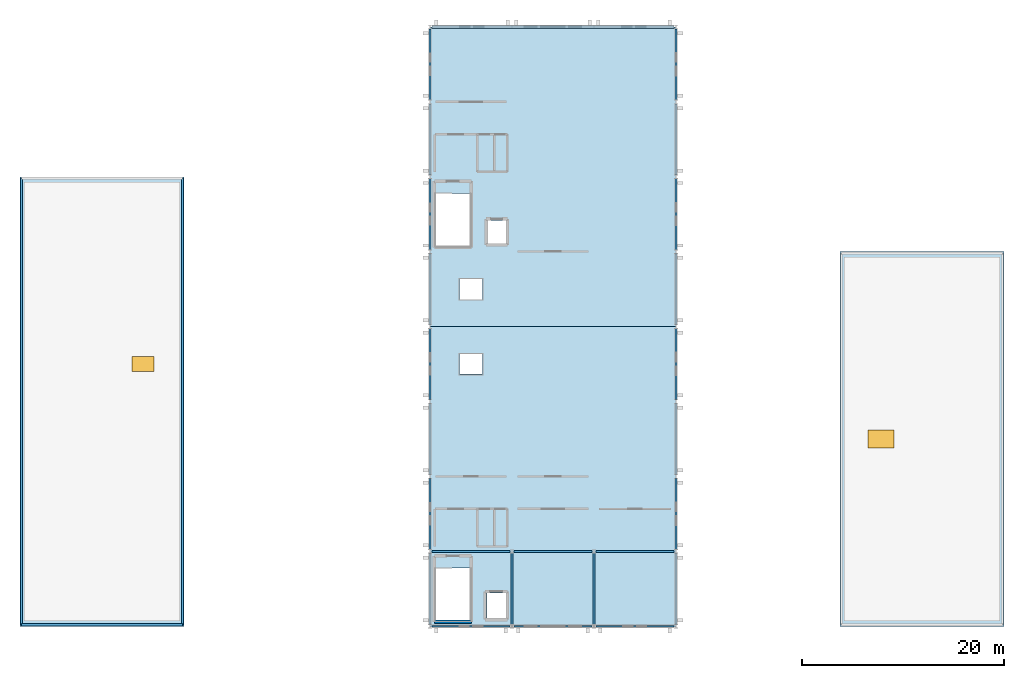
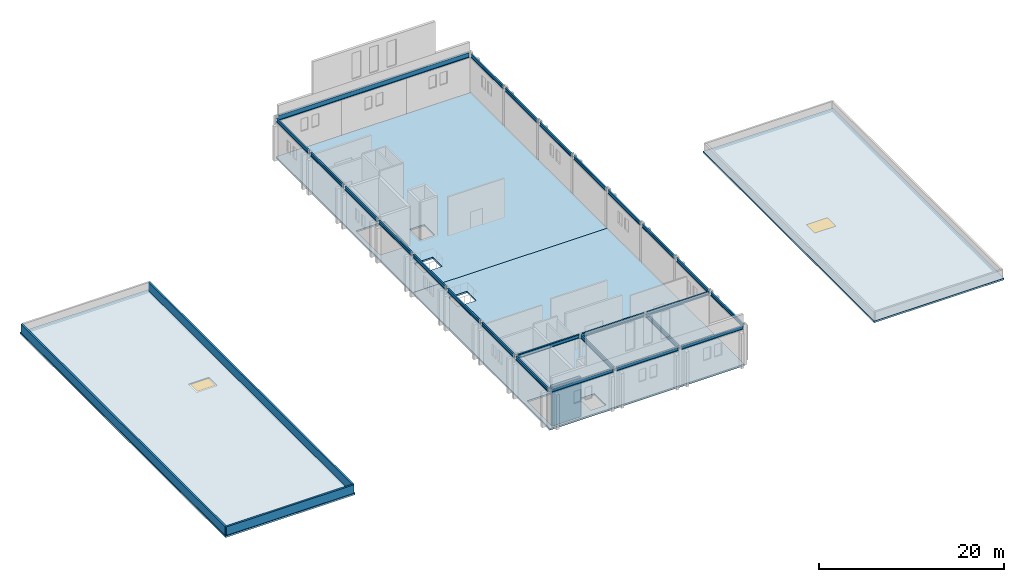
# One storey, part 5 of 10: 25 beams, 4 slabs, 4 walls, 2 windows, 2 openings.
"""IFC4 building model written with IfcOpenShell, lengths in metres."""

from ifc_helpers import new_model, si_unit, direction, frame, frame_2d, origin, origin_2d, place, context, subcontext, project, spatial, polyline, rectangle, i_section, outline, extrude, material, layer, layer_set, material_profile, profile_set, type_object, element, fill, save


model = new_model("IFC4")

# Units and contexts
model_context = context("Model", 3, precision=1e-05, world=origin(), true_north=direction((0.0, 1.0)))
body_context = subcontext(model_context, "Body", "Model", "MODEL_VIEW")
ifc_project = project(units=[si_unit("LENGTHUNIT", "METRE"), si_unit("AREAUNIT", "SQUARE_METRE"), si_unit("VOLUMEUNIT", "CUBIC_METRE"), si_unit("PLANEANGLEUNIT", "RADIAN"), si_unit("MASSUNIT", "GRAM", prefix="KILO")], contexts=[model_context])

# Site, building, storey
site_placement = place(None, origin())
site = spatial("IfcSite", under=ifc_project, at=site_placement, CompositionType="ELEMENT")
building_placement = place(site_placement, origin())
building = spatial("IfcBuilding", under=site, at=building_placement, Name="Cimatlan Art Gallery", CompositionType="ELEMENT")
storey_placement = place(building_placement, frame((0.0, 0.0, 21.0)))
storey = spatial("IfcBuildingStorey", under=building, at=storey_placement, Name="L05", CompositionType="ELEMENT", Elevation=21.0)

# Beams
ifc_material_1 = material(Name="Steel ASTM A992 Grade 50", Category="steel")
ifc_material_profile_1 = material_profile(ifc_material_1, i_section(OverallWidth=0.25390625, OverallDepth=0.68408203125, WebThickness=0.012451171875, FlangeThickness=0.018798828125, at=origin_2d()), Name="W27X94")
ifc_profile_set_1 = profile_set([ifc_material_profile_1], Name="Steel ASTM A992 Grade 50")
beam_type_1 = type_object("IfcBeamType", Name="BM-SPAN24-L05", PredefinedType="BEAM", material=ifc_profile_set_1)
beam_1_placement = place(storey_placement, frame((75.096923828125, 83.10009765625, 5.05810546875), z_axis=(1.0, 0.0, 0.0), x_axis=(0.0, 1.0, 0.0)))
element("IfcBeam", 1, at=beam_1_placement, inside=storey, type_object=beam_type_1, Name="BM-V1-GABLE-N", PredefinedType="BEAM", context=body_context, shape_type="SweptSolid", body=[
    extrude(i_section(OverallWidth=0.25390625, OverallDepth=0.68408203125, WebThickness=0.012451171875, FlangeThickness=0.018798828125, at=origin_2d()), origin(), (0.0, 0.0, 1.0), 23.906005859375),
])
ifc_material_profile_2 = material_profile(ifc_material_1, i_section(OverallWidth=0.19091796875, OverallDepth=0.45703125, WebThickness=0.009033203125, FlangeThickness=0.014404296875, at=origin_2d()), Name="W18X50")
ifc_profile_set_2 = profile_set([ifc_material_profile_2], Name="Steel ASTM A992 Grade 50")
beam_type_2 = type_object("IfcBeamType", Name="BM-STL-W18X50", PredefinedType="BEAM", material=ifc_profile_set_2)
beam_2_placement = place(storey_placement, frame((74.89990234375, 24.087890625, 4.96142578125), z_axis=(0.0, 1.0, 0.0), x_axis=(-1.0, 0.0, 0.0)))
element("IfcBeam", 2, at=beam_2_placement, inside=storey, type_object=beam_type_2, Name="BM-Y-L05-09-03", PredefinedType="BEAM", context=body_context, shape_type="SweptSolid", body=[
    extrude(i_section(OverallWidth=0.19091796875, OverallDepth=0.45703125, WebThickness=0.009033203125, FlangeThickness=0.014404296875, at=origin_2d()), origin(), (0.0, 0.0, 1.0), 7.024169921875),
])
beam_3_placement = place(storey_placement, frame((74.89990234375, 31.488037109375, 4.96142578125), z_axis=(0.0, 1.0, 0.0), x_axis=(-1.0, 0.0, 0.0)))
element("IfcBeam", 3, at=beam_3_placement, inside=storey, type_object=beam_type_2, Name="BM-Y-L05-09-04", PredefinedType="BEAM", context=body_context, shape_type="SweptSolid", body=[
    extrude(i_section(OverallWidth=0.19091796875, OverallDepth=0.45703125, WebThickness=0.009033203125, FlangeThickness=0.014404296875, at=origin_2d()), origin(), (0.0, 0.0, 1.0), 7.02392578125),
])
beam_4_placement = place(storey_placement, frame((74.89990234375, 38.887939453125, 4.96142578125), z_axis=(0.0, 1.0, 0.0), x_axis=(-1.0, 0.0, 0.0)))
element("IfcBeam", 4, at=beam_4_placement, inside=storey, type_object=beam_type_2, Name="BM-Y-L05-09-05", PredefinedType="BEAM", context=body_context, shape_type="SweptSolid", body=[
    extrude(i_section(OverallWidth=0.19091796875, OverallDepth=0.45703125, WebThickness=0.009033203125, FlangeThickness=0.014404296875, at=origin_2d()), origin(), (0.0, 0.0, 1.0), 7.024169921875),
])
for number, where, z_axis, x_axis, name in (
    (5, (74.89990234375, 46.2880859375, 4.96142578125), (0.0, 1.0, 0.0), (-1.0, 0.0, 0.0), "BM-Y-L05-09-06"),
    (6, (74.89990234375, 53.68798828125, 4.96142578125), (0.0, 1.0, 0.0), (-1.0, 0.0, 0.0), "BM-Y-L05-09-07"),
):
    element("IfcBeam", number, at=place(storey_placement, frame(where, z_axis=z_axis, x_axis=x_axis)), inside=storey, type_object=beam_type_2, Name=name, PredefinedType="BEAM", context=body_context, shape_type="SweptSolid", body=[
        extrude(i_section(OverallWidth=0.19091796875, OverallDepth=0.45703125, WebThickness=0.009033203125, FlangeThickness=0.014404296875, at=origin_2d()), origin(), (0.0, 0.0, 1.0), 7.02392578125),
    ])
beam_5_placement = place(storey_placement, frame((74.89990234375, 61.087890625, 4.96142578125), z_axis=(0.0, 1.0, 0.0), x_axis=(-1.0, 0.0, 0.0)))
element("IfcBeam", 7, at=beam_5_placement, inside=storey, type_object=beam_type_2, Name="BM-Y-L05-09-08", PredefinedType="BEAM", context=body_context, shape_type="SweptSolid", body=[
    extrude(i_section(OverallWidth=0.19091796875, OverallDepth=0.45703125, WebThickness=0.009033203125, FlangeThickness=0.014404296875, at=origin_2d()), origin(), (0.0, 0.0, 1.0), 7.024169921875),
])
beam_6_placement = place(storey_placement, frame((74.89990234375, 68.488037109375, 4.96142578125), z_axis=(0.0, 1.0, 0.0), x_axis=(-1.0, 0.0, 0.0)))
element("IfcBeam", 8, at=beam_6_placement, inside=storey, type_object=beam_type_2, Name="BM-Y-L05-09-09", PredefinedType="BEAM", context=body_context, shape_type="SweptSolid", body=[
    extrude(i_section(OverallWidth=0.19091796875, OverallDepth=0.45703125, WebThickness=0.009033203125, FlangeThickness=0.014404296875, at=origin_2d()), origin(), (0.0, 0.0, 1.0), 7.02392578125),
])
beam_7_placement = place(storey_placement, frame((74.89990234375, 75.887939453125, 4.96142578125), z_axis=(0.0, 1.0, 0.0), x_axis=(-1.0, 0.0, 0.0)))
element("IfcBeam", 9, at=beam_7_placement, inside=storey, type_object=beam_type_2, Name="BM-Y-L05-09-10", PredefinedType="BEAM", context=body_context, shape_type="SweptSolid", body=[
    extrude(i_section(OverallWidth=0.19091796875, OverallDepth=0.45703125, WebThickness=0.009033203125, FlangeThickness=0.014404296875, at=origin_2d()), origin(), (0.0, 0.0, 1.0), 7.024169921875),
])
for number, where, z_axis, x_axis, name in (
    (10, (83.0, 24.077880859375, 4.96142578125), (0.0, 1.0, 0.0), (-1.0, 0.0, 0.0), "BM-Y-L05-10-03"),
    (11, (91.10009765625, 24.077880859375, 4.96142578125), (0.0, 1.0, 0.0), (-1.0, 0.0, 0.0), "BM-Y-L05-11-03"),
):
    element("IfcBeam", number, at=place(storey_placement, frame(where, z_axis=z_axis, x_axis=x_axis)), inside=storey, type_object=beam_type_2, Name=name, PredefinedType="BEAM", context=body_context, shape_type="SweptSolid", body=[
        extrude(i_section(OverallWidth=0.19091796875, OverallDepth=0.45703125, WebThickness=0.009033203125, FlangeThickness=0.014404296875, at=origin_2d()), origin(), (0.0, 0.0, 1.0), 7.044189453125),
    ])
beam_8_placement = place(storey_placement, frame((99.199951171875, 24.087890625, 4.96142578125), z_axis=(0.0, 1.0, 0.0), x_axis=(-1.0, 0.0, 0.0)))
element("IfcBeam", 12, at=beam_8_placement, inside=storey, type_object=beam_type_2, Name="BM-Y-L05-12-03", PredefinedType="BEAM", context=body_context, shape_type="SweptSolid", body=[
    extrude(i_section(OverallWidth=0.19091796875, OverallDepth=0.45703125, WebThickness=0.009033203125, FlangeThickness=0.014404296875, at=origin_2d()), origin(), (0.0, 0.0, 1.0), 7.024169921875),
])
beam_9_placement = place(storey_placement, frame((99.199951171875, 31.488037109375, 4.96142578125), z_axis=(0.0, 1.0, 0.0), x_axis=(-1.0, 0.0, 0.0)))
element("IfcBeam", 13, at=beam_9_placement, inside=storey, type_object=beam_type_2, Name="BM-Y-L05-12-04", PredefinedType="BEAM", context=body_context, shape_type="SweptSolid", body=[
    extrude(i_section(OverallWidth=0.19091796875, OverallDepth=0.45703125, WebThickness=0.009033203125, FlangeThickness=0.014404296875, at=origin_2d()), origin(), (0.0, 0.0, 1.0), 7.02392578125),
])
beam_10_placement = place(storey_placement, frame((99.199951171875, 38.887939453125, 4.96142578125), z_axis=(0.0, 1.0, 0.0), x_axis=(-1.0, 0.0, 0.0)))
element("IfcBeam", 14, at=beam_10_placement, inside=storey, type_object=beam_type_2, Name="BM-Y-L05-12-05", PredefinedType="BEAM", context=body_context, shape_type="SweptSolid", body=[
    extrude(i_section(OverallWidth=0.19091796875, OverallDepth=0.45703125, WebThickness=0.009033203125, FlangeThickness=0.014404296875, at=origin_2d()), origin(), (0.0, 0.0, 1.0), 7.024169921875),
])
for number, where, z_axis, x_axis, name in (
    (15, (99.199951171875, 46.2880859375, 4.96142578125), (0.0, 1.0, 0.0), (-1.0, 0.0, 0.0), "BM-Y-L05-12-06"),
    (16, (99.199951171875, 53.68798828125, 4.96142578125), (0.0, 1.0, 0.0), (-1.0, 0.0, 0.0), "BM-Y-L05-12-07"),
):
    element("IfcBeam", number, at=place(storey_placement, frame(where, z_axis=z_axis, x_axis=x_axis)), inside=storey, type_object=beam_type_2, Name=name, PredefinedType="BEAM", context=body_context, shape_type="SweptSolid", body=[
        extrude(i_section(OverallWidth=0.19091796875, OverallDepth=0.45703125, WebThickness=0.009033203125, FlangeThickness=0.014404296875, at=origin_2d()), origin(), (0.0, 0.0, 1.0), 7.02392578125),
    ])
beam_11_placement = place(storey_placement, frame((99.199951171875, 61.087890625, 4.96142578125), z_axis=(0.0, 1.0, 0.0), x_axis=(-1.0, 0.0, 0.0)))
element("IfcBeam", 17, at=beam_11_placement, inside=storey, type_object=beam_type_2, Name="BM-Y-L05-12-08", PredefinedType="BEAM", context=body_context, shape_type="SweptSolid", body=[
    extrude(i_section(OverallWidth=0.19091796875, OverallDepth=0.45703125, WebThickness=0.009033203125, FlangeThickness=0.014404296875, at=origin_2d()), origin(), (0.0, 0.0, 1.0), 7.024169921875),
])
beam_12_placement = place(storey_placement, frame((99.199951171875, 68.488037109375, 4.96142578125), z_axis=(0.0, 1.0, 0.0), x_axis=(-1.0, 0.0, 0.0)))
element("IfcBeam", 18, at=beam_12_placement, inside=storey, type_object=beam_type_2, Name="BM-Y-L05-12-09", PredefinedType="BEAM", context=body_context, shape_type="SweptSolid", body=[
    extrude(i_section(OverallWidth=0.19091796875, OverallDepth=0.45703125, WebThickness=0.009033203125, FlangeThickness=0.014404296875, at=origin_2d()), origin(), (0.0, 0.0, 1.0), 7.02392578125),
])
beam_13_placement = place(storey_placement, frame((99.199951171875, 75.887939453125, 4.96142578125), z_axis=(0.0, 1.0, 0.0), x_axis=(-1.0, 0.0, 0.0)))
element("IfcBeam", 19, at=beam_13_placement, inside=storey, type_object=beam_type_2, Name="BM-Y-L05-12-10", PredefinedType="BEAM", context=body_context, shape_type="SweptSolid", body=[
    extrude(i_section(OverallWidth=0.19091796875, OverallDepth=0.45703125, WebThickness=0.009033203125, FlangeThickness=0.014404296875, at=origin_2d()), origin(), (0.0, 0.0, 1.0), 7.024169921875),
])
for number, where, z_axis, x_axis, name in (
    (20, (75.096923828125, 23.89990234375, 4.96142578125), (1.0, 0.0, 0.0), (0.0, 1.0, 0.0), "BM-X-L05-09-03"),
    (21, (75.096923828125, 31.300048828125, 4.96142578125), (1.0, 0.0, 0.0), (0.0, 1.0, 0.0), "BM-X-L05-09-04"),
):
    element("IfcBeam", number, at=place(storey_placement, frame(where, z_axis=z_axis, x_axis=x_axis)), inside=storey, type_object=beam_type_2, Name=name, PredefinedType="BEAM", context=body_context, shape_type="SweptSolid", body=[
        extrude(i_section(OverallWidth=0.19091796875, OverallDepth=0.45703125, WebThickness=0.009033203125, FlangeThickness=0.014404296875, at=origin_2d()), origin(), (0.0, 0.0, 1.0), 7.718505859375),
    ])
for number, where, z_axis, x_axis, name in (
    (22, (83.1845703125, 23.89990234375, 4.96142578125), (1.0, 0.0, 0.0), (0.0, 1.0, 0.0), "BM-X-L05-10-03"),
    (23, (83.1845703125, 31.300048828125, 4.96142578125), (1.0, 0.0, 0.0), (0.0, 1.0, 0.0), "BM-X-L05-10-04"),
):
    element("IfcBeam", number, at=place(storey_placement, frame(where, z_axis=z_axis, x_axis=x_axis)), inside=storey, type_object=beam_type_2, Name=name, PredefinedType="BEAM", context=body_context, shape_type="SweptSolid", body=[
        extrude(i_section(OverallWidth=0.19091796875, OverallDepth=0.45703125, WebThickness=0.009033203125, FlangeThickness=0.014404296875, at=origin_2d()), origin(), (0.0, 0.0, 1.0), 7.73095703125),
    ])
for number, where, z_axis, x_axis, name in (
    (24, (91.284423828125, 23.89990234375, 4.96142578125), (1.0, 0.0, 0.0), (0.0, 1.0, 0.0), "BM-X-L05-11-03"),
    (25, (91.284423828125, 31.300048828125, 4.96142578125), (1.0, 0.0, 0.0), (0.0, 1.0, 0.0), "BM-X-L05-11-04"),
):
    element("IfcBeam", number, at=place(storey_placement, frame(where, z_axis=z_axis, x_axis=x_axis)), inside=storey, type_object=beam_type_2, Name=name, PredefinedType="BEAM", context=body_context, shape_type="SweptSolid", body=[
        extrude(i_section(OverallWidth=0.19091796875, OverallDepth=0.45703125, WebThickness=0.009033203125, FlangeThickness=0.014404296875, at=origin_2d()), origin(), (0.0, 0.0, 1.0), 7.718505859375),
    ])

# Slabs
ifc_material_2 = material(Name="Concrete C35/45", Category="concrete")
ifc_layer_1 = layer(ifc_material_2, 0.219970703125)
ifc_layer_set_1 = layer_set([ifc_layer_1], Name="Concrete C35/45")
slab_type_1 = type_object("IfcSlabType", Name="SLB-FLR-L05", PredefinedType="FLOOR", material=ifc_layer_set_1)
slab_1_placement = place(storey_placement, frame((0.0, 0.0, -0.219970703125)))
element("IfcSlab", 26, at=slab_1_placement, inside=storey, type_object=slab_type_1, Name="SLB-L05-B3S", PredefinedType="FLOOR", context=body_context, shape_type="SweptSolid", body=[
    extrude(outline(polyline([(74.89990234375, 23.89990234375), (99.199951171875, 23.89990234375), (99.199951171875, 53.5), (74.89990234375, 53.5), (74.89990234375, 23.89990234375)]), holes=[polyline([(75.39990234375, 24.419921875), (78.919921875, 24.419921875), (78.919921875, 29.64990234375), (75.39990234375, 29.64990234375), (75.39990234375, 24.419921875)]), polyline([(80.510009765625, 24.7099609375), (82.389892578125, 24.7099609375), (82.389892578125, 27.18994140625), (80.510009765625, 27.18994140625), (80.510009765625, 24.7099609375)]), polyline([(77.800048828125, 48.800048828125), (80.10009765625, 48.800048828125), (80.10009765625, 50.800048828125), (77.800048828125, 50.800048828125), (77.800048828125, 48.800048828125)])]), origin(), (0.0, 0.0, 1.0), 0.219970703125),
])
slab_2_placement = place(storey_placement, frame((0.0, 0.0, -0.219970703125)))
element("IfcSlab", 27, at=slab_2_placement, inside=storey, type_object=slab_type_1, Name="SLB-L05-B3N", PredefinedType="FLOOR", context=body_context, shape_type="SweptSolid", body=[
    extrude(outline(polyline([(74.89990234375, 53.5), (99.199951171875, 53.5), (99.199951171875, 83.10009765625), (74.89990234375, 83.10009765625), (74.89990234375, 53.5)]), holes=[polyline([(75.39990234375, 61.419921875), (78.919921875, 61.419921875), (78.919921875, 66.64990234375), (75.39990234375, 66.64990234375), (75.39990234375, 61.419921875)]), polyline([(80.610107421875, 61.7099609375), (82.389892578125, 61.7099609375), (82.389892578125, 63.989990234375), (80.610107421875, 63.989990234375), (80.610107421875, 61.7099609375)]), polyline([(77.800048828125, 56.199951171875), (80.10009765625, 56.199951171875), (80.10009765625, 58.199951171875), (77.800048828125, 58.199951171875), (77.800048828125, 56.199951171875)])]), origin(), (0.0, 0.0, 1.0), 0.219970703125),
])

# Slab, opening, window
ifc_layer_2 = layer(ifc_material_2, 0.219970703125)
ifc_layer_set_2 = layer_set([ifc_layer_2], Name="Concrete C35/45")
slab_type_2 = type_object("IfcSlabType", Name="SLB-ROOF-220", PredefinedType="ROOF", material=ifc_layer_set_2)
slab_3_placement = place(storey_placement, frame((0.0, 0.0, -0.219970703125)))
slab_3 = element("IfcSlab", 28, at=slab_3_placement, inside=storey, type_object=slab_type_2, Name="RF-B2-TOP", PredefinedType="ROOF", context=body_context, shape_type="SweptSolid", body=[
    extrude(outline(polyline([(34.39990234375, 23.89990234375), (50.60009765625, 23.89990234375), (50.60009765625, 68.300048828125), (34.39990234375, 68.300048828125), (34.39990234375, 23.89990234375)]), holes=[polyline([(45.25, 48.89990234375), (47.85009765625, 48.89990234375), (47.85009765625, 50.699951171875), (45.25, 50.699951171875), (45.25, 48.89990234375)])]), origin(), (0.0, 0.0, 1.0), 0.219970703125),
])
opening_1_placement = place(slab_3_placement, frame((46.550048828125, 49.800048828125, -0.010009765625)))
opening_1 = element("IfcOpeningElement", 29, at=opening_1_placement, cuts=slab_3, Name="Opening SK-06", PredefinedType="OPENING", context=body_context, shape_type="SweptSolid", body=[
    extrude(rectangle(XDim=2.199951171875, YDim=1.5, at=origin_2d()), origin(), (0.0, 0.0, 1.0), 0.239990234375),
])
ifc_material_3 = material(Name="Low-E laminated double glazing in bronze lancet frame", Category="glass")
window_type_1 = type_object("IfcWindowType", Name="SKY-RF-2200X1500", PartitioningType="SINGLE_PANEL", PredefinedType="SKYLIGHT", material=ifc_material_3)
window_1_placement = place(slab_3_placement, frame((46.550048828125, 49.800048828125, 0.169921875)))
window_1 = element("IfcWindow", 30, at=window_1_placement, inside=storey, type_object=window_type_1, Name="SKY-06", OverallHeight=1.5, OverallWidth=2.199951171875, PartitioningType="SINGLE_PANEL", PredefinedType="SKYLIGHT", context=body_context, shape_type="SweptSolid", body=[
    extrude(rectangle(XDim=2.199951171875, YDim=1.5, at=origin_2d()), origin(), (0.0, 0.0, 1.0), 0.050048828125),
])
fill(opening_1, window_1)

slab_4_placement = place(storey_placement, frame((0.0, 0.0, -0.219970703125)))
slab_4 = element("IfcSlab", 31, at=slab_4_placement, inside=storey, type_object=slab_type_2, Name="RF-B4-TOP", PredefinedType="ROOF", context=body_context, shape_type="SweptSolid", body=[
    extrude(outline(polyline([(115.39990234375, 23.89990234375), (131.60009765625, 23.89990234375), (131.60009765625, 60.89990234375), (115.39990234375, 60.89990234375), (115.39990234375, 23.89990234375)]), holes=[polyline([(118.14990234375, 41.5), (120.75, 41.5), (120.75, 43.300048828125), (118.14990234375, 43.300048828125), (118.14990234375, 41.5)])]), origin(), (0.0, 0.0, 1.0), 0.219970703125),
])
opening_2_placement = place(slab_4_placement, frame((119.449951171875, 42.39990234375, -0.010009765625)))
opening_2 = element("IfcOpeningElement", 32, at=opening_2_placement, cuts=slab_4, Name="Opening SK-07", PredefinedType="OPENING", context=body_context, shape_type="SweptSolid", body=[
    extrude(rectangle(XDim=2.60009765625, YDim=1.800048828125, at=origin_2d()), origin(), (0.0, 0.0, 1.0), 0.239990234375),
])
window_type_2 = type_object("IfcWindowType", Name="SKY-RF-2600X1800", PartitioningType="SINGLE_PANEL", PredefinedType="SKYLIGHT", material=ifc_material_3)
window_2_placement = place(slab_4_placement, frame((119.449951171875, 42.39990234375, 0.169921875)))
window_2 = element("IfcWindow", 33, at=window_2_placement, inside=storey, type_object=window_type_2, Name="SKY-07", OverallHeight=1.800048828125, OverallWidth=2.60009765625, PartitioningType="SINGLE_PANEL", PredefinedType="SKYLIGHT", context=body_context, shape_type="SweptSolid", body=[
    extrude(rectangle(XDim=2.60009765625, YDim=1.800048828125, at=origin_2d()), origin(), (0.0, 0.0, 1.0), 0.050048828125),
])
fill(opening_2, window_2)

# Walls
ifc_material_4 = material(Name="Concrete C40/50", Category="concrete")
ifc_layer_3 = layer(ifc_material_4, 0.35009765625)
ifc_layer_set_3 = layer_set([ifc_layer_3], Name="Concrete C40/50")
wall_type_1 = type_object("IfcWallType", Name="W-CORE-350", PredefinedType="SHEAR", material=ifc_layer_set_3)
wall_1_placement = place(storey_placement, frame((75.340087890625, 24.340087890625, 0.0), z_axis=(0.0, 0.0, 1.0), x_axis=(1.0, 0.0, 0.0)))
element("IfcWall", 34, at=wall_1_placement, inside=storey, type_object=wall_type_1, Name="WL-CORE-C3-L05-SS", PredefinedType="SHEAR", context=body_context, shape_type="SweptSolid", body=[
    extrude(rectangle(XDim=3.639892578125, YDim=0.35009765625, at=frame_2d((1.81982421875, 0.0))), origin(), (0.0, 0.0, 1.0), 5.18505859375),
])
ifc_material_5 = material(Name="Precast concrete C40/50", Category="concrete")
ifc_layer_4 = layer(ifc_material_5, 0.22509765625)
ifc_layer_set_4 = layer_set([ifc_layer_4], Name="Precast concrete C40/50")
wall_type_2 = type_object("IfcWallType", Name="WL-PAR-225", PredefinedType="PARAPET", material=ifc_layer_set_4)
wall_2_placement = place(storey_placement, frame((34.550048828125, 24.050048828125, 0.0), z_axis=(0.0, 0.0, 1.0), x_axis=(1.0, 0.0, 0.0)))
element("IfcWall", 35, at=wall_2_placement, inside=storey, type_object=wall_type_2, Name="WL-PAR-009", PredefinedType="PARAPET", context=body_context, shape_type="SweptSolid", body=[
    extrude(rectangle(XDim=15.89990234375, YDim=0.22509765625, at=frame_2d((7.949951171875, 0.0))), origin(), (0.0, 0.0, 1.0), 1.1201171875),
])
for number, where, z_axis, x_axis, name in (
    (36, (50.449951171875, 24.050048828125, 0.0), (0.0, 0.0, 1.0), (0.0, 1.0, 0.0), "WL-PAR-010"),
    (37, (34.550048828125, 68.14990234375, 0.0), (0.0, 0.0, 1.0), (0.0, -1.0, 0.0), "WL-PAR-012"),
):
    element("IfcWall", number, at=place(storey_placement, frame(where, z_axis=z_axis, x_axis=x_axis)), inside=storey, type_object=wall_type_2, Name=name, PredefinedType="PARAPET", context=body_context, shape_type="SweptSolid", body=[
        extrude(rectangle(XDim=44.099853515625, YDim=0.22509765625, at=frame_2d((22.0498046875, 0.0))), origin(), (0.0, 0.0, 1.0), 1.1201171875),
    ])

save(model, "model.ifc")
